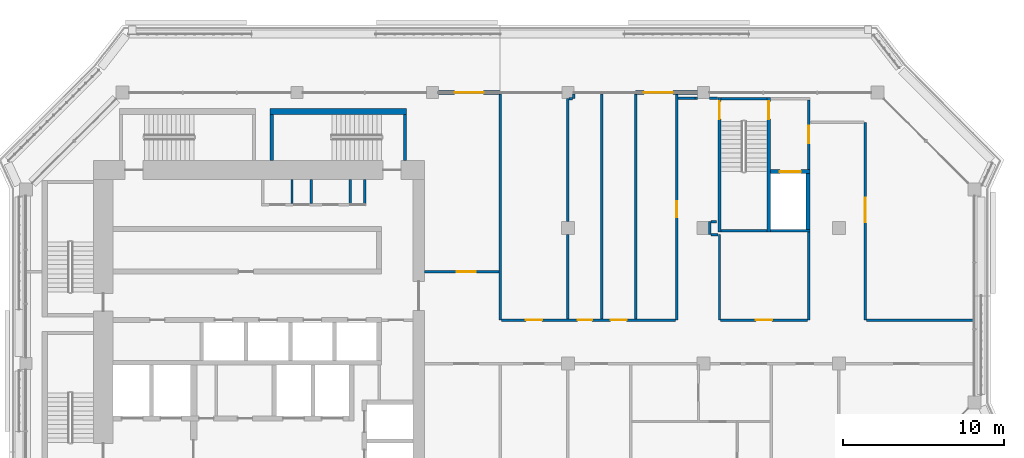
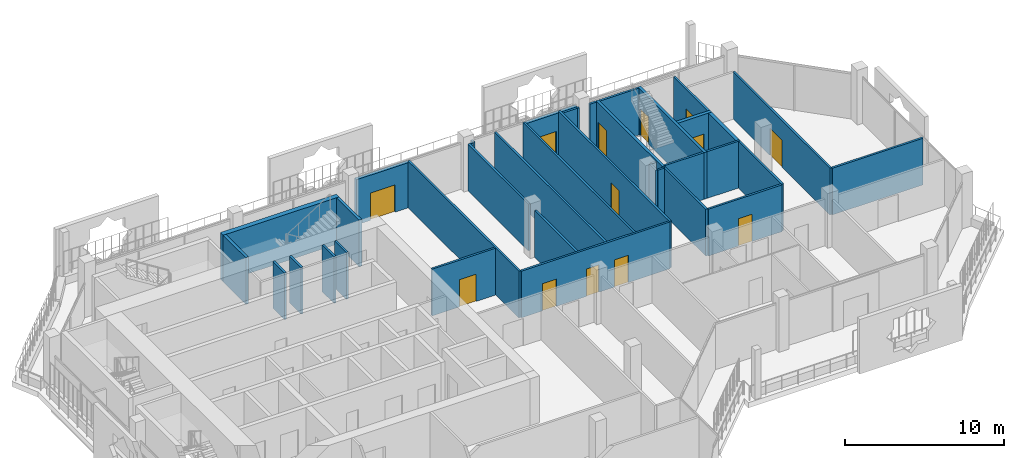
# One storey, part 13 of 22: 38 walls, 13 doors, 13 openings.
"""IFC4 building model written with IfcOpenShell, lengths in metres."""

from ifc_helpers import new_model, si_unit, direction, frame, frame_2d, origin, place, context, subcontext, project, spatial, rectangle, extrude, material, layer, layer_set, type_object, element, fill, save


model = new_model("IFC4")

# Units and contexts
model_context = context("Model", 3, precision=1e-05, world=origin(), true_north=direction((0.0, 1.0)))
body_context = subcontext(model_context, "Body", "Model", "MODEL_VIEW")
ifc_project = project(units=[si_unit("LENGTHUNIT", "METRE"), si_unit("AREAUNIT", "SQUARE_METRE"), si_unit("VOLUMEUNIT", "CUBIC_METRE"), si_unit("PLANEANGLEUNIT", "RADIAN"), si_unit("MASSUNIT", "GRAM", prefix="KILO")], contexts=[model_context])

# Site, building, storey
site_placement = place(None, origin())
site = spatial("IfcSite", under=ifc_project, at=site_placement, CompositionType="ELEMENT")
building_placement = place(site_placement, origin())
building = spatial("IfcBuilding", under=site, at=building_placement, Name="Kawkab Arch Medical Tower", CompositionType="ELEMENT")
storey_placement = place(building_placement, frame((0.0, 0.0, 298.60009765625)))
storey = spatial("IfcBuildingStorey", under=building, at=storey_placement, Name="L69", CompositionType="ELEMENT", Elevation=298.60009765625)

# Walls
ifc_material_1 = material(Name="Gypsum board on steel studs", Category="steel")
ifc_layer_1 = layer(ifc_material_1, 0.14990234375)
ifc_layer_set_1 = layer_set([ifc_layer_1], Name="Gypsum board on steel studs")
wall_type_1 = type_object("IfcWallType", Name="Core room partition 150", PredefinedType="PARTITIONING", material=ifc_layer_set_1)
for number, where, z_axis, x_axis, name in (
    (1, (16.5, -6.875, 0.0), (0.0, 0.0, 1.0), (0.0, 1.0, 0.0), "L69 core room partition"),
    (2, (17.699951171875, -6.875, 0.0), (0.0, 0.0, 1.0), (0.0, 1.0, 0.0), "L69 core room partition"),
    (3, (20.10009765625, -6.875, 0.0), (0.0, 0.0, 1.0), (0.0, 1.0, 0.0), "L69 core room partition"),
    (4, (21.0, -6.875, 0.0), (0.0, 0.0, 1.0), (0.0, 1.0, 0.0), "L69 core room partition"),
):
    element("IfcWall", number, at=place(storey_placement, frame(where, z_axis=z_axis, x_axis=x_axis)), inside=storey, type_object=wall_type_1, Name=name, PredefinedType="PARTITIONING", context=body_context, shape_type="SweptSolid", body=[
        extrude(rectangle(XDim=1.47509765625, YDim=0.14990234375, at=frame_2d((0.737548828125, 0.0))), origin(), (0.0, 0.0, 1.0), 3.599853515625),
    ])

# Wall, opening, door
wall_1_placement = place(storey_placement, frame((48.52490234375, -4.77490234375, 0.0), z_axis=(0.0, 0.0, 1.0), x_axis=(0.0, 1.0, 0.0)))
wall_1 = element("IfcWall", 5, at=wall_1_placement, inside=storey, type_object=wall_type_1, Name="L69 core room partition", PredefinedType="PARTITIONING", context=body_context, shape_type="SweptSolid", body=[
    extrude(rectangle(XDim=4.324951171875, YDim=0.14990234375, at=frame_2d((2.16259765625, 0.0))), origin(), (0.0, 0.0, 1.0), 3.599853515625),
])
opening_1_placement = place(wall_1_placement, frame((1.625, 0.0, 0.0)))
opening_1 = element("IfcOpeningElement", 6, at=opening_1_placement, cuts=wall_1, Name="Opening FD", PredefinedType="OPENING", context=body_context, shape_type="SweptSolid", body=[
    extrude(rectangle(XDim=1.10009765625, YDim=2.10009765625, at=frame_2d((0.550048828125, 1.050048828125))), frame((0.0, 0.0849609375, 0.0), z_axis=(0.0, -1.0, 0.0), x_axis=(1.0, 0.0, 0.0)), (0.0, 0.0, 1.0), 0.169921875),
])
ifc_material_2 = material(Name="Hollow metal fire door leaf")
door_type_1 = type_object("IfcDoorType", Name="Firefighting lobby door 1100", OperationType="SINGLE_SWING_LEFT", PredefinedType="DOOR", material=ifc_material_2)
door_1_placement = place(opening_1_placement, origin())
door_1 = element("IfcDoor", 7, at=door_1_placement, inside=storey, type_object=door_type_1, Name="L69 Service lift lobby door SV1", OperationType="SINGLE_SWING_LEFT", OverallHeight=2.10009765625, OverallWidth=1.10009765625, PredefinedType="DOOR", context=body_context, shape_type="SweptSolid", body=[
    extrude(rectangle(XDim=1.10009765625, YDim=2.10009765625, at=frame_2d((0.550048828125, 1.050048828125))), frame((0.0, 0.02490234375, 0.0), z_axis=(0.0, -1.0, 0.0), x_axis=(1.0, 0.0, 0.0)), (0.0, 0.0, 1.0), 0.050048828125),
])
fill(opening_1, door_1)

ifc_material_3 = material(Name="Concrete C60/75", Category="concrete")
ifc_layer_2 = layer(ifc_material_3, 0.25)
ifc_layer_set_2 = layer_set([ifc_layer_2], Name="Concrete C60/75")
wall_type_2 = type_object("IfcWallType", Name="Core shear wall 250 C60/75", PredefinedType="SHEAR", material=ifc_layer_set_2)
wall_2_placement = place(storey_placement, frame((46.14990234375, -4.89990234375, 0.0), z_axis=(0.0, 0.0, 1.0), x_axis=(1.0, 0.0, 0.0)))
wall_2 = element("IfcWall", 8, at=wall_2_placement, inside=storey, type_object=wall_type_2, Name="L69 core shear wall", PredefinedType="SHEAR", context=body_context, shape_type="SweptSolid", body=[
    extrude(rectangle(XDim=2.4501953125, YDim=0.25, at=frame_2d((1.22509765625, 0.0))), origin(), (0.0, 0.0, 1.0), 3.599853515625),
])
opening_2_placement = place(wall_2_placement, frame((0.60009765625, 0.0, 0.0)))
opening_2 = element("IfcOpeningElement", 9, at=opening_2_placement, cuts=wall_2, Name="Opening LD2", PredefinedType="OPENING", context=body_context, shape_type="SweptSolid", body=[
    extrude(rectangle(XDim=1.300048828125, YDim=2.10009765625, at=frame_2d((0.64990234375, 1.050048828125))), frame((0.0, 0.135009765625, 0.0), z_axis=(0.0, -1.0, 0.0), x_axis=(1.0, 0.0, 0.0)), (0.0, 0.0, 1.0), 0.27001953125),
])
ifc_material_4 = material(Name="Stainless steel lift door leaf", Category="steel")
door_type_2 = type_object("IfcDoorType", Name="Lift landing door 1300", OperationType="DOUBLE_DOOR_SLIDING", PredefinedType="DOOR", material=ifc_material_4)
door_2_placement = place(opening_2_placement, origin())
door_2 = element("IfcDoor", 10, at=door_2_placement, inside=storey, type_object=door_type_2, Name="L69 Lift landing door SV1", OperationType="DOUBLE_DOOR_SLIDING", OverallHeight=2.10009765625, OverallWidth=1.300048828125, PredefinedType="DOOR", context=body_context, shape_type="SweptSolid", body=[
    extrude(rectangle(XDim=1.300048828125, YDim=2.10009765625, at=frame_2d((0.64990234375, 1.050048828125))), frame((0.0, 0.02490234375, 0.0), z_axis=(0.0, -1.0, 0.0), x_axis=(1.0, 0.0, 0.0)), (0.0, 0.0, 1.0), 0.050048828125),
])
fill(opening_2, door_2)

# Wall
wall_3_placement = place(storey_placement, frame((48.47509765625, -8.5, 0.0), z_axis=(0.0, 0.0, 1.0), x_axis=(0.0, 1.0, 0.0)))
element("IfcWall", 11, at=wall_3_placement, inside=storey, type_object=wall_type_2, Name="L69 core shear wall", PredefinedType="SHEAR", context=body_context, shape_type="SweptSolid", body=[
    extrude(rectangle(XDim=3.47509765625, YDim=0.25, at=frame_2d((1.737548828125, 0.0))), origin(), (0.0, 0.0, 1.0), 3.599853515625),
])

# Wall, opening, door
ifc_material_5 = material(Name="Bronze clad insulated wall panel")
ifc_layer_3 = layer(ifc_material_5, 0.25)
ifc_layer_set_3 = layer_set([ifc_layer_3], Name="Bronze clad insulated wall panel")
wall_type_3 = type_object("IfcWallType", Name="External wall bay 250", PredefinedType="SOLIDWALL", material=ifc_layer_set_3)
wall_4_placement = place(storey_placement, frame((41.625, 0.0, 0.0), z_axis=(0.0, 0.0, 1.0), x_axis=(-1.0, 0.0, 0.0)))
wall_4 = element("IfcWall", 12, at=wall_4_placement, inside=storey, type_object=wall_type_3, Name="External wall bay L69.R15.2.1", PredefinedType="SOLIDWALL", context=body_context, shape_type="SweptSolid", body=[
    extrude(rectangle(XDim=3.824951171875, YDim=0.25, at=frame_2d((1.91259765625, 0.0))), origin(), (0.0, 0.0, 1.0), 3.47998046875),
])
opening_3_placement = place(wall_4_placement, frame((1.512451171875, 0.0, 0.0)))
opening_3 = element("IfcOpeningElement", 13, at=opening_3_placement, cuts=wall_4, Name="Opening W69-701", PredefinedType="OPENING", context=body_context, shape_type="SweptSolid", body=[
    extrude(rectangle(XDim=1.800048828125, YDim=2.10009765625, at=frame_2d((0.89990234375, 1.050048828125))), frame((0.0, 0.135009765625, 0.0), z_axis=(0.0, -1.0, 0.0), x_axis=(1.0, 0.0, 0.0)), (0.0, 0.0, 1.0), 0.27001953125),
])
ifc_material_6 = material(Name="Bronze anodised aluminium door with tinted glass", Category="aluminium")
door_type_3 = type_object("IfcDoorType", Name="Double external door 1800 x 2100", OperationType="DOUBLE_DOOR_SINGLE_SWING", PredefinedType="DOOR", material=ifc_material_6)
door_3_placement = place(opening_3_placement, origin())
door_3 = element("IfcDoor", 14, at=door_3_placement, inside=storey, type_object=door_type_3, Name="External door L69.R15.2.1", OperationType="DOUBLE_DOOR_SINGLE_SWING", OverallHeight=2.10009765625, OverallWidth=1.800048828125, PredefinedType="DOOR", context=body_context, shape_type="SweptSolid", body=[
    extrude(rectangle(XDim=1.800048828125, YDim=2.10009765625, at=frame_2d((0.89990234375, 1.050048828125))), frame((0.0, 0.02490234375, 0.0), z_axis=(0.0, -1.0, 0.0), x_axis=(1.0, 0.0, 0.0)), (0.0, 0.0, 1.0), 0.050048828125),
])
fill(opening_3, door_3)

wall_5_placement = place(storey_placement, frame((29.39990234375, 0.0, 0.0), z_axis=(0.0, 0.0, 1.0), x_axis=(-1.0, 0.0, 0.0)))
wall_5 = element("IfcWall", 15, at=wall_5_placement, inside=storey, type_object=wall_type_3, Name="External wall bay L69.R15.3.2", PredefinedType="SOLIDWALL", context=body_context, shape_type="SweptSolid", body=[
    extrude(rectangle(XDim=3.824951171875, YDim=0.25, at=frame_2d((1.91259765625, 0.0))), origin(), (0.0, 0.0, 1.0), 3.47998046875),
])
opening_4_placement = place(wall_5_placement, frame((1.012451171875, 0.0, 0.0)))
opening_4 = element("IfcOpeningElement", 16, at=opening_4_placement, cuts=wall_5, Name="Opening W69-701", PredefinedType="OPENING", context=body_context, shape_type="SweptSolid", body=[
    extrude(rectangle(XDim=1.800048828125, YDim=2.10009765625, at=frame_2d((0.89990234375, 1.050048828125))), frame((0.0, 0.135009765625, 0.0), z_axis=(0.0, -1.0, 0.0), x_axis=(1.0, 0.0, 0.0)), (0.0, 0.0, 1.0), 0.27001953125),
])
door_4_placement = place(opening_4_placement, origin())
door_4 = element("IfcDoor", 17, at=door_4_placement, inside=storey, type_object=door_type_3, Name="External door L69.R15.3.2", OperationType="DOUBLE_DOOR_SINGLE_SWING", OverallHeight=2.10009765625, OverallWidth=1.800048828125, PredefinedType="DOOR", context=body_context, shape_type="SweptSolid", body=[
    extrude(rectangle(XDim=1.800048828125, YDim=2.10009765625, at=frame_2d((0.89990234375, 1.050048828125))), frame((0.0, 0.02490234375, 0.0), z_axis=(0.0, -1.0, 0.0), x_axis=(1.0, 0.0, 0.0)), (0.0, 0.0, 1.0), 0.050048828125),
])
fill(opening_4, door_4)

# Wall, openings, doors
ifc_material_7 = material(Name="Gypsum board partition on steel studs, mineral wool", Category="steel")
ifc_layer_4 = layer(ifc_material_7, 0.14990234375)
ifc_layer_set_4 = layer_set([ifc_layer_4], Name="Gypsum board partition on steel studs, mineral wool")
wall_type_4 = type_object("IfcWallType", Name="Partition 150", PredefinedType="PARTITIONING", material=ifc_layer_set_4)
wall_6_placement = place(storey_placement, frame((29.47509765625, -14.10009765625, 0.0), z_axis=(0.0, 0.0, 1.0), x_axis=(1.0, 0.0, 0.0)))
wall_6 = element("IfcWall", 18, at=wall_6_placement, inside=storey, type_object=wall_type_4, Name="Partition 150 w013", PredefinedType="PARTITIONING", context=body_context, shape_type="SweptSolid", body=[
    extrude(rectangle(XDim=10.806884765625, YDim=0.14990234375, at=frame_2d((5.4033203125, 0.0))), origin(), (0.0, 0.0, 1.0), 3.599853515625),
])
opening_5_placement = place(wall_6_placement, frame((1.52490234375, 0.0, 0.0)))
opening_5 = element("IfcOpeningElement", 19, at=opening_5_placement, cuts=wall_6, Name="Opening W69-010", PredefinedType="OPENING", context=body_context, shape_type="SweptSolid", body=[
    extrude(rectangle(XDim=1.0, YDim=2.10009765625, at=frame_2d((0.5, 1.050048828125))), frame((0.0, 0.0849609375, 0.0), z_axis=(0.0, -1.0, 0.0), x_axis=(1.0, 0.0, 0.0)), (0.0, 0.0, 1.0), 0.169921875),
])
opening_6_placement = place(wall_6_placement, frame((4.72509765625, 0.0, 0.0)))
opening_6 = element("IfcOpeningElement", 20, at=opening_6_placement, cuts=wall_6, Name="Opening W69-006", PredefinedType="OPENING", context=body_context, shape_type="SweptSolid", body=[
    extrude(rectangle(XDim=0.89990234375, YDim=2.10009765625, at=frame_2d((0.449951171875, 1.050048828125))), frame((0.0, 0.0849609375, 0.0), z_axis=(0.0, -1.0, 0.0), x_axis=(1.0, 0.0, 0.0)), (0.0, 0.0, 1.0), 0.169921875),
])
opening_7_placement = place(wall_6_placement, frame((6.77490234375, 0.0, 0.0)))
opening_7 = element("IfcOpeningElement", 21, at=opening_7_placement, cuts=wall_6, Name="Opening W69-009", PredefinedType="OPENING", context=body_context, shape_type="SweptSolid", body=[
    extrude(rectangle(XDim=1.0, YDim=2.10009765625, at=frame_2d((0.5, 1.050048828125))), frame((0.0, 0.0849609375, 0.0), z_axis=(0.0, -1.0, 0.0), x_axis=(1.0, 0.0, 0.0)), (0.0, 0.0, 1.0), 0.169921875),
])
ifc_material_8 = material(Name="Timber door leaf", Category="wood")
door_type_4 = type_object("IfcDoorType", Name="Single door 1000x2100", OperationType="NOTDEFINED", PredefinedType="DOOR", material=ifc_material_8)
door_5_placement = place(opening_7_placement, origin())
door_5 = element("IfcDoor", 22, at=door_5_placement, inside=storey, type_object=door_type_4, Name="Door W69-009", OperationType="SINGLE_SWING_RIGHT", OverallHeight=2.10009765625, OverallWidth=1.0, PredefinedType="DOOR", context=body_context, shape_type="SweptSolid", body=[
    extrude(rectangle(XDim=1.0, YDim=2.10009765625, at=frame_2d((0.5, 1.050048828125))), frame((0.0, 0.02490234375, 0.0), z_axis=(0.0, -1.0, 0.0), x_axis=(1.0, 0.0, 0.0)), (0.0, 0.0, 1.0), 0.050048828125),
])
fill(opening_7, door_5)
ifc_material_9 = material(Name="Hollow metal door leaf")
door_type_5 = type_object("IfcDoorType", Name="Single door 1000x2100 FD30S", OperationType="NOTDEFINED", PredefinedType="DOOR", material=ifc_material_9)
door_6_placement = place(opening_5_placement, origin())
door_6 = element("IfcDoor", 23, at=door_6_placement, inside=storey, type_object=door_type_5, Name="Door W69-010", OperationType="SINGLE_SWING_LEFT", OverallHeight=2.10009765625, OverallWidth=1.0, PredefinedType="DOOR", context=body_context, shape_type="SweptSolid", body=[
    extrude(rectangle(XDim=1.0, YDim=2.10009765625, at=frame_2d((0.5, 1.050048828125))), frame((0.0, 0.02490234375, 0.0), z_axis=(0.0, -1.0, 0.0), x_axis=(1.0, 0.0, 0.0)), (0.0, 0.0, 1.0), 0.050048828125),
])
fill(opening_5, door_6)
ifc_material_10 = material(Name="Timber door leaf", Category="wood")
door_type_6 = type_object("IfcDoorType", Name="Single door 900x2100", OperationType="NOTDEFINED", PredefinedType="DOOR", material=ifc_material_10)
door_7_placement = place(opening_6_placement, origin())
door_7 = element("IfcDoor", 24, at=door_7_placement, inside=storey, type_object=door_type_6, Name="Door W69-006", OperationType="SINGLE_SWING_LEFT", OverallHeight=2.10009765625, OverallWidth=0.89990234375, PredefinedType="DOOR", context=body_context, shape_type="SweptSolid", body=[
    extrude(rectangle(XDim=0.89990234375, YDim=2.10009765625, at=frame_2d((0.449951171875, 1.050048828125))), frame((0.0, 0.02490234375, 0.0), z_axis=(0.0, -1.0, 0.0), x_axis=(1.0, 0.0, 0.0)), (0.0, 0.0, 1.0), 0.050048828125),
])
fill(opening_6, door_7)

# Wall, opening, door
wall_7_placement = place(storey_placement, frame((43.074951171875, -14.10009765625, 0.0), z_axis=(0.0, 0.0, 1.0), x_axis=(1.0, 0.0, 0.0)))
wall_7 = element("IfcWall", 25, at=wall_7_placement, inside=storey, type_object=wall_type_4, Name="Partition 150 w014", PredefinedType="PARTITIONING", context=body_context, shape_type="SweptSolid", body=[
    extrude(rectangle(XDim=5.375, YDim=0.14990234375, at=frame_2d((2.6875, 0.0))), origin(), (0.0, 0.0, 1.0), 3.599853515625),
])
opening_8_placement = place(wall_7_placement, frame((2.18798828125, 0.0, 0.0)))
opening_8 = element("IfcOpeningElement", 26, at=opening_8_placement, cuts=wall_7, Name="Opening W69-011", PredefinedType="OPENING", context=body_context, shape_type="SweptSolid", body=[
    extrude(rectangle(XDim=1.0, YDim=2.10009765625, at=frame_2d((0.5, 1.050048828125))), frame((0.0, 0.0849609375, 0.0), z_axis=(0.0, -1.0, 0.0), x_axis=(1.0, 0.0, 0.0)), (0.0, 0.0, 1.0), 0.169921875),
])
door_8_placement = place(opening_8_placement, origin())
door_8 = element("IfcDoor", 27, at=door_8_placement, inside=storey, type_object=door_type_5, Name="Door W69-011", OperationType="SINGLE_SWING_RIGHT", OverallHeight=2.10009765625, OverallWidth=1.0, PredefinedType="DOOR", context=body_context, shape_type="SweptSolid", body=[
    extrude(rectangle(XDim=1.0, YDim=2.10009765625, at=frame_2d((0.5, 1.050048828125))), frame((0.0, 0.02490234375, 0.0), z_axis=(0.0, -1.0, 0.0), x_axis=(1.0, 0.0, 0.0)), (0.0, 0.0, 1.0), 0.050048828125),
])
fill(opening_8, door_8)

# Wall
wall_8_placement = place(storey_placement, frame((52.117919921875, -14.10009765625, 0.0), z_axis=(0.0, 0.0, 1.0), x_axis=(1.0, 0.0, 0.0)))
element("IfcWall", 28, at=wall_8_placement, inside=storey, type_object=wall_type_4, Name="Partition 150 w015", PredefinedType="PARTITIONING", context=body_context, shape_type="SweptSolid", body=[
    extrude(rectangle(XDim=6.60205078125, YDim=0.14990234375, at=frame_2d((3.301025390625, 0.0))), origin(), (0.0, 0.0, 1.0), 3.599853515625),
])

# Wall, opening, door
wall_9_placement = place(storey_placement, frame((24.699951171875, -11.10009765625, 0.0), z_axis=(0.0, 0.0, 1.0), x_axis=(1.0, 0.0, 0.0)))
wall_9 = element("IfcWall", 29, at=wall_9_placement, inside=storey, type_object=wall_type_4, Name="Partition 150 w017", PredefinedType="PARTITIONING", context=body_context, shape_type="SweptSolid", body=[
    extrude(rectangle(XDim=4.625, YDim=0.14990234375, at=frame_2d((2.3125, 0.0))), origin(), (0.0, 0.0, 1.0), 3.599853515625),
])
opening_9_placement = place(wall_9_placement, frame((2.0, 0.0, 0.0)))
opening_9 = element("IfcOpeningElement", 30, at=opening_9_placement, cuts=wall_9, Name="Opening W69-018", PredefinedType="OPENING", context=body_context, shape_type="SweptSolid", body=[
    extrude(rectangle(XDim=1.199951171875, YDim=2.10009765625, at=frame_2d((0.60009765625, 1.050048828125))), frame((0.0, 0.0849609375, 0.0), z_axis=(0.0, -1.0, 0.0), x_axis=(1.0, 0.0, 0.0)), (0.0, 0.0, 1.0), 0.169921875),
])
ifc_material_11 = material(Name="Hollow metal door leaf")
door_type_7 = type_object("IfcDoorType", Name="Single door 1200x2100 FD30S", OperationType="NOTDEFINED", PredefinedType="DOOR", material=ifc_material_11)
door_9_placement = place(opening_9_placement, origin())
door_9 = element("IfcDoor", 31, at=door_9_placement, inside=storey, type_object=door_type_7, Name="Door W69-018", OperationType="SINGLE_SWING_RIGHT", OverallHeight=2.10009765625, OverallWidth=1.199951171875, PredefinedType="DOOR", context=body_context, shape_type="SweptSolid", body=[
    extrude(rectangle(XDim=1.199951171875, YDim=2.10009765625, at=frame_2d((0.60009765625, 1.050048828125))), frame((0.0, 0.02490234375, 0.0), z_axis=(0.0, -1.0, 0.0), x_axis=(1.0, 0.0, 0.0)), (0.0, 0.0, 1.0), 0.050048828125),
])
fill(opening_9, door_9)

# Walls
wall_10_placement = place(storey_placement, frame((42.47509765625, -8.800048828125, 0.0), z_axis=(0.0, 0.0, 1.0), x_axis=(1.0, 0.0, 0.0)))
element("IfcWall", 32, at=wall_10_placement, inside=storey, type_object=wall_type_4, Name="Partition 150 w018", PredefinedType="PARTITIONING", context=body_context, shape_type="SweptSolid", body=[
    extrude(rectangle(XDim=0.447998046875, YDim=0.14990234375, at=frame_2d((0.22412109375, 0.0))), origin(), (0.0, 0.0, 1.0), 3.599853515625),
])
wall_11_placement = place(storey_placement, frame((42.47607421875, -8.0, 0.0), z_axis=(0.0, 0.0, 1.0), x_axis=(1.0, 0.0, 0.0)))
element("IfcWall", 33, at=wall_11_placement, inside=storey, type_object=wall_type_4, Name="Partition 150 w019", PredefinedType="PARTITIONING", context=body_context, shape_type="SweptSolid", body=[
    extrude(rectangle(XDim=0.343994140625, YDim=0.14990234375, at=frame_2d((0.171875, 0.0))), origin(), (0.0, 0.0, 1.0), 3.599853515625),
])
wall_12_placement = place(storey_placement, frame((33.677001953125, -0.375, 0.0), z_axis=(0.0, 0.0, 1.0), x_axis=(1.0, 0.0, 0.0)))
element("IfcWall", 34, at=wall_12_placement, inside=storey, type_object=wall_type_4, Name="Partition 150 w021", PredefinedType="PARTITIONING", context=body_context, shape_type="SweptSolid", body=[
    extrude(rectangle(XDim=0.220947265625, YDim=0.14990234375, at=frame_2d((0.1103515625, 0.0))), origin(), (0.0, 0.0, 1.0), 3.599853515625),
])
wall_13_placement = place(storey_placement, frame((41.488037109375, -0.362060546875, 0.0), z_axis=(0.0, 0.0, 1.0), x_axis=(1.0, 0.0, 0.0)))
element("IfcWall", 35, at=wall_13_placement, inside=storey, type_object=wall_type_4, Name="Partition 150 w022", PredefinedType="PARTITIONING", context=body_context, shape_type="SweptSolid", body=[
    extrude(rectangle(XDim=0.136962890625, YDim=0.14990234375, at=frame_2d((0.068359375, 0.0))), origin(), (0.0, 0.0, 1.0), 3.599853515625),
])
wall_14_placement = place(storey_placement, frame((42.375, -0.362060546875, 0.0), z_axis=(0.0, 0.0, 1.0), x_axis=(1.0, 0.0, 0.0)))
element("IfcWall", 36, at=wall_14_placement, inside=storey, type_object=wall_type_4, Name="Partition 150 w023", PredefinedType="PARTITIONING", context=body_context, shape_type="SweptSolid", body=[
    extrude(rectangle(XDim=0.4951171875, YDim=0.14990234375, at=frame_2d((0.24755859375, 0.0))), origin(), (0.0, 0.0, 1.0), 3.599853515625),
])
wall_15_placement = place(storey_placement, frame((40.431884765625, -0.35009765625, 0.0), z_axis=(0.0, 0.0, 1.0), x_axis=(1.0, 0.0, 0.0)))
element("IfcWall", 37, at=wall_15_placement, inside=storey, type_object=wall_type_4, Name="Partition 150 w024", PredefinedType="PARTITIONING", context=body_context, shape_type="SweptSolid", body=[
    extrude(rectangle(XDim=1.05615234375, YDim=0.14990234375, at=frame_2d((0.528076171875, 0.0))), origin(), (0.0, 0.0, 1.0), 3.599853515625),
])
wall_16_placement = place(storey_placement, frame((29.39990234375, -14.10009765625, 0.0), z_axis=(0.0, 0.0, 1.0), x_axis=(0.0, 1.0, 0.0)))
element("IfcWall", 38, at=wall_16_placement, inside=storey, type_object=wall_type_4, Name="Partition 150 w031", PredefinedType="PARTITIONING", context=body_context, shape_type="SweptSolid", body=[
    extrude(rectangle(XDim=14.02001953125, YDim=0.14990234375, at=frame_2d((7.010009765625, 0.0))), origin(), (0.0, 0.0, 1.0), 3.599853515625),
])
wall_17_placement = place(storey_placement, frame((33.60009765625, -14.02490234375, 0.0), z_axis=(0.0, 0.0, 1.0), x_axis=(0.0, 1.0, 0.0)))
element("IfcWall", 39, at=wall_17_placement, inside=storey, type_object=wall_type_4, Name="Partition 150 w033", PredefinedType="PARTITIONING", context=body_context, shape_type="SweptSolid", body=[
    extrude(rectangle(XDim=5.224853515625, YDim=0.14990234375, at=frame_2d((2.6123046875, 0.0))), origin(), (0.0, 0.0, 1.0), 3.599853515625),
])
wall_18_placement = place(storey_placement, frame((33.60009765625, -8.0, 0.0), z_axis=(0.0, 0.0, 1.0), x_axis=(0.0, 1.0, 0.0)))
element("IfcWall", 40, at=wall_18_placement, inside=storey, type_object=wall_type_4, Name="Partition 150 w034", PredefinedType="PARTITIONING", context=body_context, shape_type="SweptSolid", body=[
    extrude(rectangle(XDim=7.623046875, YDim=0.14990234375, at=frame_2d((3.8115234375, 0.0))), origin(), (0.0, 0.0, 1.0), 3.599853515625),
])
wall_19_placement = place(storey_placement, frame((33.97509765625, -0.373046875, 0.0), z_axis=(0.0, 0.0, 1.0), x_axis=(0.0, 1.0, 0.0)))
element("IfcWall", 41, at=wall_19_placement, inside=storey, type_object=wall_type_4, Name="Partition 150 w035", PredefinedType="PARTITIONING", context=body_context, shape_type="SweptSolid", body=[
    extrude(rectangle(XDim=0.29296875, YDim=0.14990234375, at=frame_2d((0.146484375, 0.0))), origin(), (0.0, 0.0, 1.0), 3.599853515625),
])
for number, where, z_axis, x_axis, name in (
    (42, (35.699951171875, -14.02490234375, 0.0), (0.0, 0.0, 1.0), (0.0, 1.0, 0.0), "Partition 150 w036"),
    (43, (37.800048828125, -14.02490234375, 0.0), (0.0, 0.0, 1.0), (0.0, 1.0, 0.0), "Partition 150 w038"),
):
    element("IfcWall", number, at=place(storey_placement, frame(where, z_axis=z_axis, x_axis=x_axis)), inside=storey, type_object=wall_type_4, Name=name, PredefinedType="PARTITIONING", context=body_context, shape_type="SweptSolid", body=[
        extrude(rectangle(XDim=13.94482421875, YDim=0.14990234375, at=frame_2d((6.972412109375, 0.0))), origin(), (0.0, 0.0, 1.0), 3.599853515625),
    ])

# Wall, opening, door
wall_20_placement = place(storey_placement, frame((40.35693359375, -14.10009765625, 0.0), z_axis=(0.0, 0.0, 1.0), x_axis=(0.0, 1.0, 0.0)))
wall_20 = element("IfcWall", 44, at=wall_20_placement, inside=storey, type_object=wall_type_4, Name="Partition 150 w039", PredefinedType="PARTITIONING", context=body_context, shape_type="SweptSolid", body=[
    extrude(rectangle(XDim=14.02001953125, YDim=0.14990234375, at=frame_2d((7.010009765625, 0.0))), origin(), (0.0, 0.0, 1.0), 3.599853515625),
])
opening_10_placement = place(wall_20_placement, frame((6.375, 0.0, 0.0)))
opening_10 = element("IfcOpeningElement", 45, at=opening_10_placement, cuts=wall_20, Name="Opening W69-017", PredefinedType="OPENING", context=body_context, shape_type="SweptSolid", body=[
    extrude(rectangle(XDim=1.0, YDim=2.10009765625, at=frame_2d((0.5, 1.050048828125))), frame((0.0, 0.0849609375, 0.0), z_axis=(0.0, -1.0, 0.0), x_axis=(1.0, 0.0, 0.0)), (0.0, 0.0, 1.0), 0.169921875),
])
door_10_placement = place(opening_10_placement, origin())
door_10 = element("IfcDoor", 46, at=door_10_placement, inside=storey, type_object=door_type_5, Name="Door W69-017", OperationType="SINGLE_SWING_LEFT", OverallHeight=2.10009765625, OverallWidth=1.0, PredefinedType="DOOR", context=body_context, shape_type="SweptSolid", body=[
    extrude(rectangle(XDim=1.0, YDim=2.10009765625, at=frame_2d((0.5, 1.050048828125))), frame((0.0, 0.02490234375, 0.0), z_axis=(0.0, -1.0, 0.0), x_axis=(1.0, 0.0, 0.0)), (0.0, 0.0, 1.0), 0.050048828125),
])
fill(opening_10, door_10)

# Walls
wall_21_placement = place(storey_placement, frame((42.39990234375, -8.800048828125, 0.0), z_axis=(0.0, 0.0, 1.0), x_axis=(0.0, 1.0, 0.0)))
element("IfcWall", 47, at=wall_21_placement, inside=storey, type_object=wall_type_4, Name="Partition 150 w040", PredefinedType="PARTITIONING", context=body_context, shape_type="SweptSolid", body=[
    extrude(rectangle(XDim=0.799072265625, YDim=0.14990234375, at=frame_2d((0.3994140625, 0.0))), origin(), (0.0, 0.0, 1.0), 3.599853515625),
])
wall_22_placement = place(storey_placement, frame((43.0, -14.10009765625, 0.0), z_axis=(0.0, 0.0, 1.0), x_axis=(0.0, 1.0, 0.0)))
element("IfcWall", 48, at=wall_22_placement, inside=storey, type_object=wall_type_4, Name="Partition 150 w041", PredefinedType="PARTITIONING", context=body_context, shape_type="SweptSolid", body=[
    extrude(rectangle(XDim=5.298095703125, YDim=0.14990234375, at=frame_2d((2.64892578125, 0.0))), origin(), (0.0, 0.0, 1.0), 3.599853515625),
])
wall_23_placement = place(storey_placement, frame((48.52490234375, -14.10009765625, 0.0), z_axis=(0.0, 0.0, 1.0), x_axis=(0.0, 1.0, 0.0)))
element("IfcWall", 49, at=wall_23_placement, inside=storey, type_object=wall_type_4, Name="Partition 150 w043", PredefinedType="PARTITIONING", context=body_context, shape_type="SweptSolid", body=[
    extrude(rectangle(XDim=5.4501953125, YDim=0.14990234375, at=frame_2d((2.72509765625, 0.0))), origin(), (0.0, 0.0, 1.0), 3.599853515625),
])

# Wall, opening, door
wall_24_placement = place(storey_placement, frame((52.04296875, -14.10009765625, 0.0), z_axis=(0.0, 0.0, 1.0), x_axis=(0.0, 1.0, 0.0)))
wall_24 = element("IfcWall", 50, at=wall_24_placement, inside=storey, type_object=wall_type_4, Name="Partition 150 w045", PredefinedType="PARTITIONING", context=body_context, shape_type="SweptSolid", body=[
    extrude(rectangle(XDim=12.248046875, YDim=0.14990234375, at=frame_2d((6.1240234375, 0.0))), origin(), (0.0, 0.0, 1.0), 3.599853515625),
])
opening_11_placement = place(wall_24_placement, frame((6.073974609375, 0.0, 0.0)))
opening_11 = element("IfcOpeningElement", 51, at=opening_11_placement, cuts=wall_24, Name="Opening W69-002", PredefinedType="OPENING", context=body_context, shape_type="SweptSolid", body=[
    extrude(rectangle(XDim=1.5, YDim=2.10009765625, at=frame_2d((0.75, 1.050048828125))), frame((0.0, 0.0849609375, 0.0), z_axis=(0.0, -1.0, 0.0), x_axis=(1.0, 0.0, 0.0)), (0.0, 0.0, 1.0), 0.169921875),
])
ifc_material_12 = material(Name="Hollow metal door leaf")
door_type_8 = type_object("IfcDoorType", Name="Double door 1500x2100 FD30S", OperationType="NOTDEFINED", PredefinedType="DOOR", material=ifc_material_12)
door_11_placement = place(opening_11_placement, origin())
door_11 = element("IfcDoor", 52, at=door_11_placement, inside=storey, type_object=door_type_8, Name="Door W69-002", OperationType="DOUBLE_DOOR_SINGLE_SWING", OverallHeight=2.10009765625, OverallWidth=1.5, PredefinedType="DOOR", context=body_context, shape_type="SweptSolid", body=[
    extrude(rectangle(XDim=1.5, YDim=2.10009765625, at=frame_2d((0.75, 1.050048828125))), frame((0.0, 0.02490234375, 0.0), z_axis=(0.0, -1.0, 0.0), x_axis=(1.0, 0.0, 0.0)), (0.0, 0.0, 1.0), 0.050048828125),
])
fill(opening_11, door_11)

# Walls
ifc_material_13 = material(Name="Concrete C50/60", Category="concrete")
ifc_layer_5 = layer(ifc_material_13, 0.14990234375)
ifc_layer_set_5 = layer_set([ifc_layer_5], Name="Concrete C50/60")
wall_type_5 = type_object("IfcWallType", Name="Stair enclosure wall 150 C50/60", PredefinedType="SHEAR", material=ifc_layer_set_5)
for number, where, z_axis, x_axis, name in (
    (53, (43.10009765625, -0.375, 0.0), (0.0, 0.0, 1.0), (1.0, 0.0, 0.0), "L69 stair enclosure wall"),
    (54, (43.10009765625, -8.574951171875, 0.0), (0.0, 0.0, 1.0), (1.0, 0.0, 0.0), "L69 stair enclosure wall"),
):
    element("IfcWall", number, at=place(storey_placement, frame(where, z_axis=z_axis, x_axis=x_axis)), inside=storey, type_object=wall_type_5, Name=name, PredefinedType="SHEAR", context=body_context, shape_type="SweptSolid", body=[
        extrude(rectangle(XDim=2.849853515625, YDim=0.14990234375, at=frame_2d((1.4248046875, 0.0))), origin(), (0.0, 0.0, 1.0), 3.599853515625),
    ])
wall_25_placement = place(storey_placement, frame((46.14990234375, -8.574951171875, 0.0), z_axis=(0.0, 0.0, 1.0), x_axis=(1.0, 0.0, 0.0)))
element("IfcWall", 55, at=wall_25_placement, inside=storey, type_object=wall_type_5, Name="L69 stair enclosure wall", PredefinedType="SHEAR", context=body_context, shape_type="SweptSolid", body=[
    extrude(rectangle(XDim=2.4501953125, YDim=0.14990234375, at=frame_2d((1.22509765625, 0.0))), origin(), (0.0, 0.0, 1.0), 3.599853515625),
])
ifc_material_14 = material(Name="Concrete C50/60", Category="concrete")
ifc_layer_6 = layer(ifc_material_14, 0.199951171875)
ifc_layer_set_6 = layer_set([ifc_layer_6], Name="Concrete C50/60")
wall_type_6 = type_object("IfcWallType", Name="Stair enclosure wall 200 C50/60", PredefinedType="SHEAR", material=ifc_layer_set_6)
for number, where, z_axis, x_axis, name in (
    (56, (15.25, -4.199951171875, 0.0), (0.0, 0.0, 1.0), (0.0, 1.0, 0.0), "L69 stair enclosure wall"),
    (57, (23.5, -4.199951171875, 0.0), (0.0, 0.0, 1.0), (0.0, 1.0, 0.0), "L69 stair enclosure wall"),
):
    element("IfcWall", number, at=place(storey_placement, frame(where, z_axis=z_axis, x_axis=x_axis)), inside=storey, type_object=wall_type_6, Name=name, PredefinedType="SHEAR", context=body_context, shape_type="SweptSolid", body=[
        extrude(rectangle(XDim=2.849853515625, YDim=0.199951171875, at=frame_2d((1.4248046875, 0.0))), origin(), (0.0, 0.0, 1.0), 3.599853515625),
    ])

# Wall, opening, door
wall_26_placement = place(storey_placement, frame((43.0, -8.64990234375, 0.0), z_axis=(0.0, 0.0, 1.0), x_axis=(0.0, 1.0, 0.0)))
wall_26 = element("IfcWall", 58, at=wall_26_placement, inside=storey, type_object=wall_type_6, Name="L69 stair enclosure wall", PredefinedType="SHEAR", context=body_context, shape_type="SweptSolid", body=[
    extrude(rectangle(XDim=8.349853515625, YDim=0.199951171875, at=frame_2d((4.1748046875, 0.0))), origin(), (0.0, 0.0, 1.0), 3.599853515625),
])
opening_12_placement = place(wall_26_placement, frame((7.0, 0.0, 0.0)))
opening_12 = element("IfcOpeningElement", 59, at=opening_12_placement, cuts=wall_26, Name="Opening SD", PredefinedType="OPENING", context=body_context, shape_type="SweptSolid", body=[
    extrude(rectangle(XDim=1.10009765625, YDim=2.10009765625, at=frame_2d((0.550048828125, 1.050048828125))), frame((0.0, 0.10986328125, 0.0), z_axis=(0.0, -1.0, 0.0), x_axis=(1.0, 0.0, 0.0)), (0.0, 0.0, 1.0), 0.219970703125),
])
ifc_material_15 = material(Name="Hollow metal fire door leaf")
door_type_9 = type_object("IfcDoorType", Name="Exit stair door 1100", OperationType="SINGLE_SWING_LEFT", PredefinedType="DOOR", material=ifc_material_15)
door_12_placement = place(opening_12_placement, frame((1.10009765625, 0.0, 0.0), z_axis=(0.0, 0.0, 1.0), x_axis=(-1.0, 0.0, 0.0)))
door_12 = element("IfcDoor", 60, at=door_12_placement, inside=storey, type_object=door_type_9, Name="L69 Exit stair ST5 door", OperationType="SINGLE_SWING_LEFT", OverallHeight=2.10009765625, OverallWidth=1.10009765625, PredefinedType="DOOR", context=body_context, shape_type="SweptSolid", body=[
    extrude(rectangle(XDim=1.10009765625, YDim=2.10009765625, at=frame_2d((0.550048828125, 1.050048828125))), frame((0.0, 0.02490234375, 0.0), z_axis=(0.0, -1.0, 0.0), x_axis=(1.0, 0.0, 0.0)), (0.0, 0.0, 1.0), 0.050048828125),
])
fill(opening_12, door_12)

wall_27_placement = place(storey_placement, frame((46.050048828125, -8.64990234375, 0.0), z_axis=(0.0, 0.0, 1.0), x_axis=(0.0, 1.0, 0.0)))
wall_27 = element("IfcWall", 61, at=wall_27_placement, inside=storey, type_object=wall_type_6, Name="L69 stair enclosure wall", PredefinedType="SHEAR", context=body_context, shape_type="SweptSolid", body=[
    extrude(rectangle(XDim=8.349853515625, YDim=0.199951171875, at=frame_2d((4.1748046875, 0.0))), origin(), (0.0, 0.0, 1.0), 3.599853515625),
])
opening_13_placement = place(wall_27_placement, frame((7.0, 0.0, 0.0)))
opening_13 = element("IfcOpeningElement", 62, at=opening_13_placement, cuts=wall_27, Name="Opening SD", PredefinedType="OPENING", context=body_context, shape_type="SweptSolid", body=[
    extrude(rectangle(XDim=1.10009765625, YDim=2.10009765625, at=frame_2d((0.550048828125, 1.050048828125))), frame((0.0, 0.10986328125, 0.0), z_axis=(0.0, -1.0, 0.0), x_axis=(1.0, 0.0, 0.0)), (0.0, 0.0, 1.0), 0.219970703125),
])
door_13_placement = place(opening_13_placement, origin())
door_13 = element("IfcDoor", 63, at=door_13_placement, inside=storey, type_object=door_type_9, Name="L69 Exit stair ST5 lobby door", OperationType="SINGLE_SWING_LEFT", OverallHeight=2.10009765625, OverallWidth=1.10009765625, PredefinedType="DOOR", context=body_context, shape_type="SweptSolid", body=[
    extrude(rectangle(XDim=1.10009765625, YDim=2.10009765625, at=frame_2d((0.550048828125, 1.050048828125))), frame((0.0, 0.02490234375, 0.0), z_axis=(0.0, -1.0, 0.0), x_axis=(1.0, 0.0, 0.0)), (0.0, 0.0, 1.0), 0.050048828125),
])
fill(opening_13, door_13)

# Wall
ifc_material_16 = material(Name="Concrete C50/60", Category="concrete")
ifc_layer_7 = layer(ifc_material_16, 0.35009765625)
ifc_layer_set_7 = layer_set([ifc_layer_7], Name="Concrete C50/60")
wall_type_7 = type_object("IfcWallType", Name="Stair enclosure wall 350 C50/60", PredefinedType="SHEAR", material=ifc_layer_set_7)
wall_28_placement = place(storey_placement, frame((15.14990234375, -1.175048828125, 0.0), z_axis=(0.0, 0.0, 1.0), x_axis=(1.0, 0.0, 0.0)))
element("IfcWall", 64, at=wall_28_placement, inside=storey, type_object=wall_type_7, Name="L69 stair enclosure wall", PredefinedType="SHEAR", context=body_context, shape_type="SweptSolid", body=[
    extrude(rectangle(XDim=8.4501953125, YDim=0.35009765625, at=frame_2d((4.22509765625, 0.0))), origin(), (0.0, 0.0, 1.0), 3.599853515625),
])

save(model, "model.ifc")
